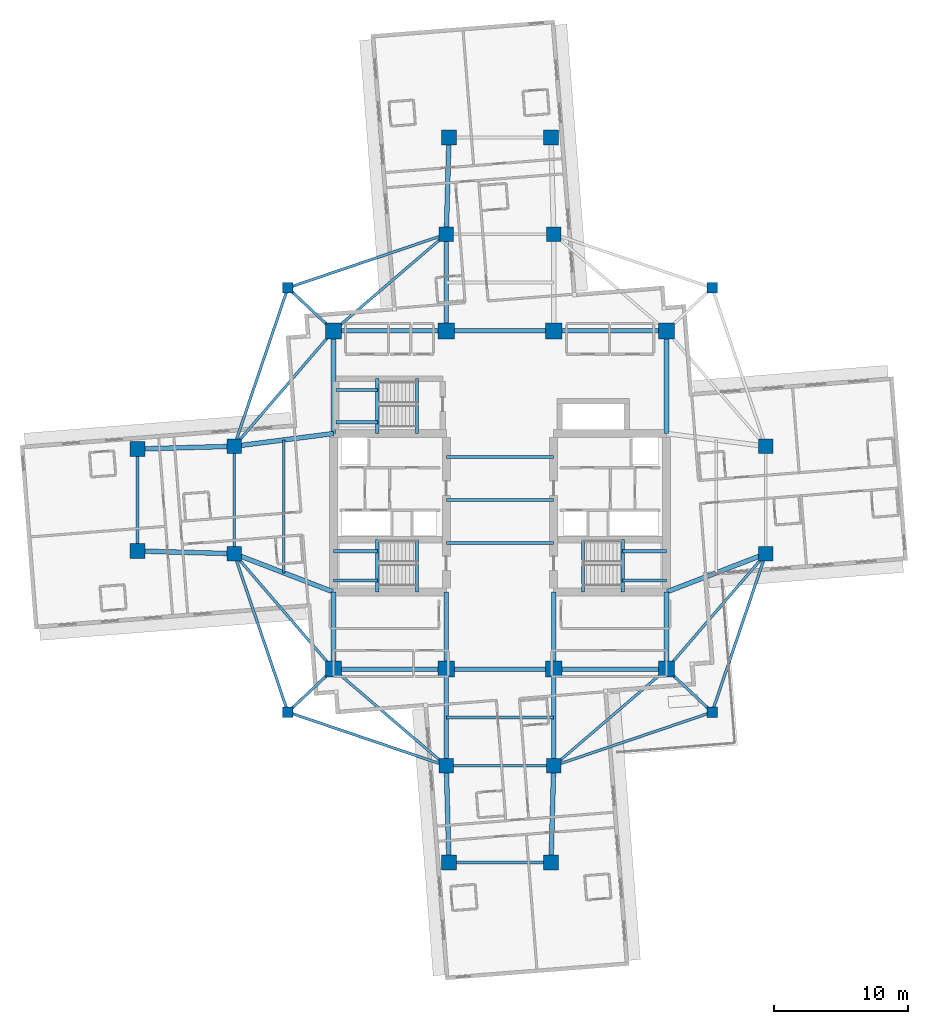
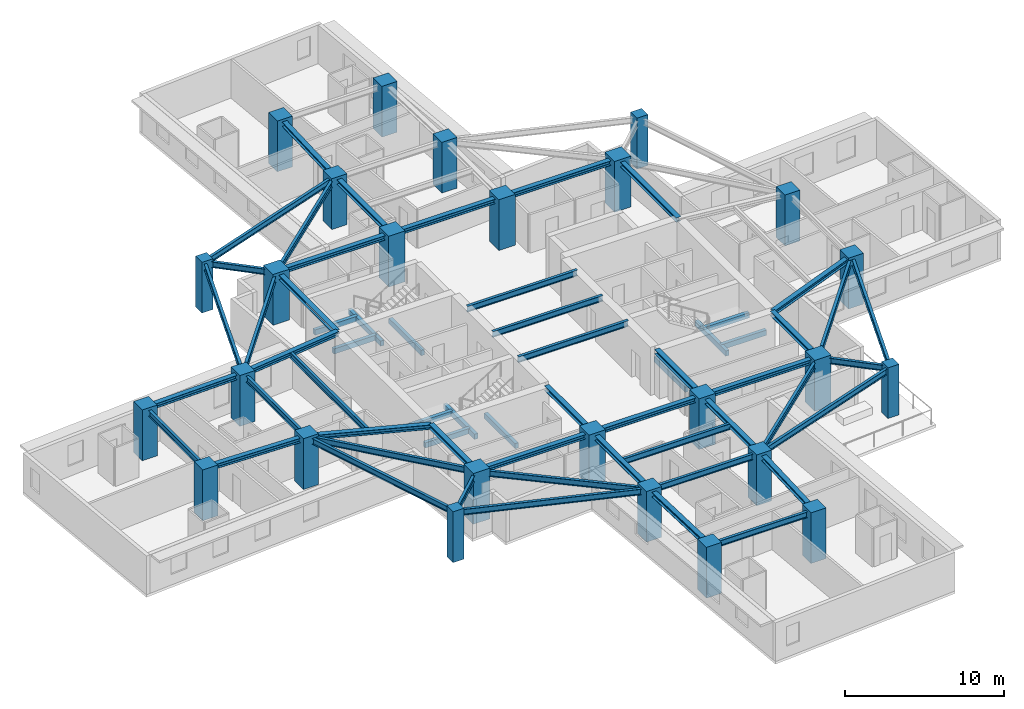
# One storey, part 1 of 14: 59 beams, 26 columns.
"""IFC4 building model written with IfcOpenShell, lengths in metres."""

from ifc_helpers import new_model, si_unit, direction, frame, origin, origin_2d, place, context, subcontext, project, spatial, rectangle, i_section, extrude, material, material_profile, profile_set, type_object, element, save


model = new_model("IFC4")

# Units and contexts
model_context = context("Model", 3, precision=1e-05, world=origin(), true_north=direction((0.0, 1.0)))
body_context = subcontext(model_context, "Body", "Model", "MODEL_VIEW")
ifc_project = project(units=[si_unit("LENGTHUNIT", "METRE"), si_unit("AREAUNIT", "SQUARE_METRE"), si_unit("VOLUMEUNIT", "CUBIC_METRE"), si_unit("PLANEANGLEUNIT", "RADIAN"), si_unit("MASSUNIT", "GRAM", prefix="KILO")], contexts=[model_context])

# Site, building, storey
site_placement = place(None, origin())
site = spatial("IfcSite", under=ifc_project, at=site_placement, CompositionType="ELEMENT")
building_placement = place(site_placement, origin())
building = spatial("IfcBuilding", under=site, at=building_placement, Name="Qingluan Cross Belvedere", CompositionType="ELEMENT")
storey_placement = place(building_placement, frame((0.0, 0.0, 124.199951171875)))
storey = spatial("IfcBuildingStorey", under=building, at=storey_placement, Name="L31", CompositionType="ELEMENT", Elevation=124.199951171875)

# Columns
ifc_material_1 = material(Name="Concrete C60", Category="concrete")
ifc_material_profile_1 = material_profile(ifc_material_1, rectangle(XDim=1.10009765625, YDim=1.10009765625, at=origin_2d()), Name="RC1100x1100")
ifc_profile_set_1 = profile_set([ifc_material_profile_1], Name="Concrete C60")
column_type_1 = type_object("IfcColumnType", Name="Column_RC1100x1100", PredefinedType="COLUMN", material=ifc_profile_set_1)
for number, where, z_axis, x_axis, name in (
    (1, (19.800048828125, -4.0, 0.0), (0.0, 0.0, 1.0), (1.0, 0.0, 0.0), "Arm column L31-EIA"),
    (2, (19.800048828125, 4.0, 0.0), (0.0, 0.0, 1.0), (1.0, 0.0, 0.0), "Arm column L31-EIB"),
    (3, (-19.800048828125, -4.0, 0.0), (0.0, 0.0, 1.0), (1.0, 0.0, 0.0), "Arm column L31-WIA"),
    (4, (-19.800048828125, 4.0, 0.0), (0.0, 0.0, 1.0), (1.0, 0.0, 0.0), "Arm column L31-WIB"),
    (5, (-4.0, -19.800048828125, 0.0), (0.0, 0.0, 1.0), (1.0, 0.0, 0.0), "Arm column L31-SIA"),
    (6, (4.0, -19.800048828125, 0.0), (0.0, 0.0, 1.0), (1.0, 0.0, 0.0), "Arm column L31-SIB"),
    (7, (-4.0, 19.800048828125, 0.0), (0.0, 0.0, 1.0), (1.0, 0.0, 0.0), "Arm column L31-NIA"),
    (8, (4.0, 19.800048828125, 0.0), (0.0, 0.0, 1.0), (1.0, 0.0, 0.0), "Arm column L31-NIB"),
    (9, (-27.0, -3.800048828125, 0.0), (0.0, 0.0, 1.0), (1.0, 0.0, 0.0), "Arm column L31-WOA"),
    (10, (-27.0, 3.800048828125, 0.0), (0.0, 0.0, 1.0), (1.0, 0.0, 0.0), "Arm column L31-WOB"),
    (11, (-3.800048828125, -27.0, 0.0), (0.0, 0.0, 1.0), (1.0, 0.0, 0.0), "Arm column L31-SOA"),
    (12, (3.800048828125, -27.0, 0.0), (0.0, 0.0, 1.0), (1.0, 0.0, 0.0), "Arm column L31-SOB"),
    (13, (-3.800048828125, 27.0, 0.0), (0.0, 0.0, 1.0), (1.0, 0.0, 0.0), "Arm column L31-NOA"),
    (14, (3.800048828125, 27.0, 0.0), (0.0, 0.0, 1.0), (1.0, 0.0, 0.0), "Arm column L31-NOB"),
):
    element("IfcColumn", number, at=place(storey_placement, frame(where, z_axis=z_axis, x_axis=x_axis)), inside=storey, type_object=column_type_1, Name=name, PredefinedType="COLUMN", context=body_context, shape_type="SweptSolid", body=[
        extrude(rectangle(XDim=1.10009765625, YDim=1.10009765625, at=origin_2d()), origin(), (0.0, 0.0, 1.0), 3.900146484375),
    ])
ifc_material_2 = material(Name="Concrete C60", Category="concrete")
ifc_material_profile_2 = material_profile(ifc_material_2, rectangle(XDim=1.199951171875, YDim=1.199951171875, at=origin_2d()), Name="RC1200x1200")
ifc_profile_set_2 = profile_set([ifc_material_profile_2], Name="Concrete C60")
column_type_2 = type_object("IfcColumnType", Name="Column_RC1200x1200", PredefinedType="COLUMN", material=ifc_profile_set_2)
for number, where, z_axis, x_axis, name in (
    (15, (-12.39990234375, -12.60009765625, 0.0), (0.0, 0.0, 1.0), (1.0, 0.0, 0.0), "Hub column L31-HC1"),
    (16, (12.39990234375, -12.60009765625, 0.0), (0.0, 0.0, 1.0), (1.0, 0.0, 0.0), "Hub column L31-HC2"),
    (17, (12.39990234375, 12.60009765625, 0.0), (0.0, 0.0, 1.0), (1.0, 0.0, 0.0), "Hub column L31-HC3"),
    (18, (-12.39990234375, 12.60009765625, 0.0), (0.0, 0.0, 1.0), (1.0, 0.0, 0.0), "Hub column L31-HC4"),
    (19, (-4.0, -12.60009765625, 0.0), (0.0, 0.0, 1.0), (1.0, 0.0, 0.0), "Hub column L31-HC5"),
    (20, (4.0, -12.60009765625, 0.0), (0.0, 0.0, 1.0), (1.0, 0.0, 0.0), "Hub column L31-HC6"),
    (21, (4.0, 12.60009765625, 0.0), (0.0, 0.0, 1.0), (1.0, 0.0, 0.0), "Hub column L31-HC7"),
    (22, (-4.0, 12.60009765625, 0.0), (0.0, 0.0, 1.0), (1.0, 0.0, 0.0), "Hub column L31-HC8"),
):
    element("IfcColumn", number, at=place(storey_placement, frame(where, z_axis=z_axis, x_axis=x_axis)), inside=storey, type_object=column_type_2, Name=name, PredefinedType="COLUMN", context=body_context, shape_type="SweptSolid", body=[
        extrude(rectangle(XDim=1.199951171875, YDim=1.199951171875, at=origin_2d()), origin(), (0.0, 0.0, 1.0), 3.900146484375),
    ])
ifc_material_3 = material(Name="Concrete C50", Category="concrete")
ifc_material_profile_3 = material_profile(ifc_material_3, rectangle(XDim=0.800048828125, YDim=0.800048828125, at=origin_2d()), Name="RC800x800")
ifc_profile_set_3 = profile_set([ifc_material_profile_3], Name="Concrete C50")
column_type_3 = type_object("IfcColumnType", Name="Column_RC800x800", PredefinedType="COLUMN", material=ifc_profile_set_3)
for number, where, z_axis, x_axis, name in (
    (23, (15.800048828125, 15.800048828125, 0.0), (0.0, 0.0, 1.0), (1.0, 0.0, 0.0), "Corner column L31-RNE"),
    (24, (-15.800048828125, 15.800048828125, 0.0), (0.0, 0.0, 1.0), (1.0, 0.0, 0.0), "Corner column L31-RNW"),
    (25, (-15.800048828125, -15.800048828125, 0.0), (0.0, 0.0, 1.0), (1.0, 0.0, 0.0), "Corner column L31-RSW"),
    (26, (15.800048828125, -15.800048828125, 0.0), (0.0, 0.0, 1.0), (1.0, 0.0, 0.0), "Corner column L31-RSE"),
):
    element("IfcColumn", number, at=place(storey_placement, frame(where, z_axis=z_axis, x_axis=x_axis)), inside=storey, type_object=column_type_3, Name=name, PredefinedType="COLUMN", context=body_context, shape_type="SweptSolid", body=[
        extrude(rectangle(XDim=0.800048828125, YDim=0.800048828125, at=origin_2d()), origin(), (0.0, 0.0, 1.0), 3.900146484375),
    ])

# Beams
ifc_material_4 = material(Name="Concrete C45", Category="concrete")
ifc_material_profile_4 = material_profile(ifc_material_4, rectangle(XDim=0.25, YDim=0.39990234375, at=origin_2d()), Name="RC250x400")
ifc_profile_set_4 = profile_set([ifc_material_profile_4], Name="Concrete C45")
beam_type_1 = type_object("IfcBeamType", Name="RC_Lintel_RC250x400", PredefinedType="LINTEL", material=ifc_profile_set_4)
for number, where, z_axis, x_axis, name in (
    (27, (-6.179931640625, -6.85009765625, -0.199951171875), (0.0, 1.0, 0.0), (-1.0, 0.0, 0.0), "Stair ST1 landing beam L31"),
    (28, (6.179931640625, -6.85009765625, -0.199951171875), (0.0, 1.0, 0.0), (-1.0, 0.0, 0.0), "Stair ST2 landing beam L31"),
):
    element("IfcBeam", number, at=place(storey_placement, frame(where, z_axis=z_axis, x_axis=x_axis)), inside=storey, type_object=beam_type_1, Name=name, PredefinedType="LINTEL", context=body_context, shape_type="SweptSolid", body=[
        extrude(rectangle(XDim=0.25, YDim=0.39990234375, at=origin_2d()), origin(), (0.0, 0.0, 1.0), 3.89013671875),
    ])
beam_1_placement = place(storey_placement, frame((-6.179931640625, 4.949951171875, -0.199951171875), z_axis=(0.0, 1.0, 0.0), x_axis=(-1.0, 0.0, 0.0)))
element("IfcBeam", 29, at=beam_1_placement, inside=storey, type_object=beam_type_1, Name="Stair ST3 landing beam L31", PredefinedType="LINTEL", context=body_context, shape_type="SweptSolid", body=[
    extrude(rectangle(XDim=0.25, YDim=0.39990234375, at=origin_2d()), origin(), (0.0, 0.0, 1.0), 4.090087890625),
])
beam_2_placement = place(storey_placement, frame((-9.1298828125, -6.85009765625, 1.550048828125), z_axis=(0.0, 1.0, 0.0), x_axis=(-1.0, 0.0, 0.0)))
element("IfcBeam", 30, at=beam_2_placement, inside=storey, type_object=beam_type_1, Name="Stair ST1 beam A L31", PredefinedType="LINTEL", context=body_context, shape_type="SweptSolid", body=[
    extrude(rectangle(XDim=0.25, YDim=0.39990234375, at=origin_2d()), origin(), (0.0, 0.0, 1.0), 3.89013671875),
])
for number, where, z_axis, x_axis, name in (
    (31, (-12.39990234375, -6.0, 1.550048828125), (1.0, 0.0, 0.0), (0.0, 1.0, 0.0), "Stair ST1 beam B L31"),
    (32, (-12.39990234375, -3.81005859375, 1.550048828125), (1.0, 0.0, 0.0), (0.0, 1.0, 0.0), "Stair ST1 beam C L31"),
):
    element("IfcBeam", number, at=place(storey_placement, frame(where, z_axis=z_axis, x_axis=x_axis)), inside=storey, type_object=beam_type_1, Name=name, PredefinedType="LINTEL", context=body_context, shape_type="SweptSolid", body=[
        extrude(rectangle(XDim=0.25, YDim=0.39990234375, at=origin_2d()), origin(), (0.0, 0.0, 1.0), 3.27001953125),
    ])
beam_3_placement = place(storey_placement, frame((9.1298828125, -6.85009765625, 1.550048828125), z_axis=(0.0, 1.0, 0.0), x_axis=(-1.0, 0.0, 0.0)))
element("IfcBeam", 33, at=beam_3_placement, inside=storey, type_object=beam_type_1, Name="Stair ST2 beam A L31", PredefinedType="LINTEL", context=body_context, shape_type="SweptSolid", body=[
    extrude(rectangle(XDim=0.25, YDim=0.39990234375, at=origin_2d()), origin(), (0.0, 0.0, 1.0), 3.89013671875),
])
for number, where, z_axis, x_axis, name in (
    (34, (12.39990234375, -6.0, 1.550048828125), (-1.0, 0.0, 0.0), (0.0, -1.0, 0.0), "Stair ST2 beam B L31"),
    (35, (12.39990234375, -3.81005859375, 1.550048828125), (-1.0, 0.0, 0.0), (0.0, -1.0, 0.0), "Stair ST2 beam C L31"),
):
    element("IfcBeam", number, at=place(storey_placement, frame(where, z_axis=z_axis, x_axis=x_axis)), inside=storey, type_object=beam_type_1, Name=name, PredefinedType="LINTEL", context=body_context, shape_type="SweptSolid", body=[
        extrude(rectangle(XDim=0.25, YDim=0.39990234375, at=origin_2d()), origin(), (0.0, 0.0, 1.0), 3.27001953125),
    ])
beam_4_placement = place(storey_placement, frame((-9.1298828125, 4.949951171875, 1.550048828125), z_axis=(0.0, 1.0, 0.0), x_axis=(-1.0, 0.0, 0.0)))
element("IfcBeam", 36, at=beam_4_placement, inside=storey, type_object=beam_type_1, Name="Stair ST3 beam A L31", PredefinedType="LINTEL", context=body_context, shape_type="SweptSolid", body=[
    extrude(rectangle(XDim=0.25, YDim=0.39990234375, at=origin_2d()), origin(), (0.0, 0.0, 1.0), 4.090087890625),
])
for number, where, z_axis, x_axis, name in (
    (37, (-12.219970703125, 5.800048828125, 1.550048828125), (1.0, 0.0, 0.0), (0.0, 1.0, 0.0), "Stair ST3 beam B L31"),
    (38, (-12.219970703125, 8.18994140625, 1.550048828125), (1.0, 0.0, 0.0), (0.0, 1.0, 0.0), "Stair ST3 beam C L31"),
):
    element("IfcBeam", number, at=place(storey_placement, frame(where, z_axis=z_axis, x_axis=x_axis)), inside=storey, type_object=beam_type_1, Name=name, PredefinedType="LINTEL", context=body_context, shape_type="SweptSolid", body=[
        extrude(rectangle(XDim=0.25, YDim=0.39990234375, at=origin_2d()), origin(), (0.0, 0.0, 1.0), 3.090087890625),
    ])
ifc_material_5 = material(Name="Steel Q420GJB", Category="steel")
ifc_material_profile_5 = material_profile(ifc_material_5, i_section(OverallWidth=0.199951171875, OverallDepth=0.449951171875, WebThickness=0.009033203125, FlangeThickness=0.013916015625, FilletRadius=0.01611328125, at=origin_2d()), Name="HN450x200x9x14")
ifc_profile_set_5 = profile_set([ifc_material_profile_5], Name="Steel Q420GJB")
beam_type_2 = type_object("IfcBeamType", Name="Steel_Beam_HN450x200x9x14", PredefinedType="JOIST", material=ifc_profile_set_5)
beam_5_placement = place(storey_placement, frame((-12.39990234375, 12.60009765625, 3.47509765625), z_axis=(-0.728219948308, 0.685343495546, 0.0), x_axis=(-0.685343495546, -0.728219948308, 0.0)))
element("IfcBeam", 39, at=beam_5_placement, inside=storey, type_object=beam_type_2, Name="Corner beam 1 L31-RNW", PredefinedType="JOIST", context=body_context, shape_type="SweptSolid", body=[
    extrude(i_section(OverallWidth=0.199951171875, OverallDepth=0.449951171875, WebThickness=0.009033203125, FlangeThickness=0.013916015625, FilletRadius=0.01611328125, at=origin_2d()), origin(), (0.0, 0.0, 1.0), 4.669189453125),
])
for number, where, z_axis, x_axis, name in (
    (40, (-15.800048828125, 15.800048828125, 3.47509765625), (0.947066283324, 0.321038089628, 0.0), (-0.321038089628, 0.947066283324, 0.0), "Corner beam 2 L31-RNW"),
    (41, (-15.800048828125, 15.800048828125, 3.47509765625), (-0.321038089628, -0.947066283324, 0.0), (0.947066283324, -0.321038089628, 0.0), "Corner beam 3 L31-RNW"),
):
    element("IfcBeam", number, at=place(storey_placement, frame(where, z_axis=z_axis, x_axis=x_axis)), inside=storey, type_object=beam_type_2, Name=name, PredefinedType="JOIST", context=body_context, shape_type="SweptSolid", body=[
        extrude(i_section(OverallWidth=0.199951171875, OverallDepth=0.449951171875, WebThickness=0.009033203125, FlangeThickness=0.013916015625, FilletRadius=0.01611328125, at=origin_2d()), origin(), (0.0, 0.0, 1.0), 12.45947265625),
    ])
beam_6_placement = place(storey_placement, frame((-12.39990234375, 12.60009765625, 3.47509765625), z_axis=(-0.652245077546, -0.75800815221, 0.0), x_axis=(0.75800815221, -0.652245077546, 0.0)))
element("IfcBeam", 42, at=beam_6_placement, inside=storey, type_object=beam_type_2, Name="Corner beam 4 L31-RNW", PredefinedType="JOIST", context=body_context, shape_type="SweptSolid", body=[
    extrude(i_section(OverallWidth=0.199951171875, OverallDepth=0.449951171875, WebThickness=0.009033203125, FlangeThickness=0.013916015625, FilletRadius=0.01611328125, at=origin_2d()), origin(), (0.0, 0.0, 1.0), 11.345703125),
])
beam_7_placement = place(storey_placement, frame((-12.39990234375, 12.60009765625, 3.47509765625), z_axis=(0.759255044656, 0.650793190779, 0.0), x_axis=(-0.650793190779, 0.759255044656, 0.0)))
element("IfcBeam", 43, at=beam_7_placement, inside=storey, type_object=beam_type_2, Name="Corner beam 5 L31-RNW", PredefinedType="JOIST", context=body_context, shape_type="SweptSolid", body=[
    extrude(i_section(OverallWidth=0.199951171875, OverallDepth=0.449951171875, WebThickness=0.009033203125, FlangeThickness=0.013916015625, FilletRadius=0.01611328125, at=origin_2d()), origin(), (0.0, 0.0, 1.0), 11.063232421875),
])
beam_8_placement = place(storey_placement, frame((-12.39990234375, -12.60009765625, 3.47509765625), z_axis=(-0.728219948308, -0.685343495546, 0.0), x_axis=(0.685343495546, -0.728219948308, 0.0)))
element("IfcBeam", 44, at=beam_8_placement, inside=storey, type_object=beam_type_2, Name="Corner beam 1 L31-RSW", PredefinedType="JOIST", context=body_context, shape_type="SweptSolid", body=[
    extrude(i_section(OverallWidth=0.199951171875, OverallDepth=0.449951171875, WebThickness=0.009033203125, FlangeThickness=0.013916015625, FilletRadius=0.01611328125, at=origin_2d()), origin(), (0.0, 0.0, 1.0), 4.669189453125),
])
for number, where, z_axis, x_axis, name in (
    (45, (-15.800048828125, -15.800048828125, 3.47509765625), (0.947066283324, -0.321038089628, 0.0), (0.321038089628, 0.947066283324, 0.0), "Corner beam 2 L31-RSW"),
    (46, (-15.800048828125, -15.800048828125, 3.47509765625), (-0.321038089628, 0.947066283324, 0.0), (-0.947066283324, -0.321038089628, 0.0), "Corner beam 3 L31-RSW"),
):
    element("IfcBeam", number, at=place(storey_placement, frame(where, z_axis=z_axis, x_axis=x_axis)), inside=storey, type_object=beam_type_2, Name=name, PredefinedType="JOIST", context=body_context, shape_type="SweptSolid", body=[
        extrude(i_section(OverallWidth=0.199951171875, OverallDepth=0.449951171875, WebThickness=0.009033203125, FlangeThickness=0.013916015625, FilletRadius=0.01611328125, at=origin_2d()), origin(), (0.0, 0.0, 1.0), 12.45947265625),
    ])
beam_9_placement = place(storey_placement, frame((-12.39990234375, -12.60009765625, 3.47509765625), z_axis=(-0.652245077546, 0.75800815221, 0.0), x_axis=(-0.75800815221, -0.652245077546, 0.0)))
element("IfcBeam", 47, at=beam_9_placement, inside=storey, type_object=beam_type_2, Name="Corner beam 4 L31-RSW", PredefinedType="JOIST", context=body_context, shape_type="SweptSolid", body=[
    extrude(i_section(OverallWidth=0.199951171875, OverallDepth=0.449951171875, WebThickness=0.009033203125, FlangeThickness=0.013916015625, FilletRadius=0.01611328125, at=origin_2d()), origin(), (0.0, 0.0, 1.0), 11.345703125),
])
beam_10_placement = place(storey_placement, frame((-12.39990234375, -12.60009765625, 3.47509765625), z_axis=(0.759255044656, -0.650793190779, 0.0), x_axis=(0.650793190779, 0.759255044656, 0.0)))
element("IfcBeam", 48, at=beam_10_placement, inside=storey, type_object=beam_type_2, Name="Corner beam 5 L31-RSW", PredefinedType="JOIST", context=body_context, shape_type="SweptSolid", body=[
    extrude(i_section(OverallWidth=0.199951171875, OverallDepth=0.449951171875, WebThickness=0.009033203125, FlangeThickness=0.013916015625, FilletRadius=0.01611328125, at=origin_2d()), origin(), (0.0, 0.0, 1.0), 11.063232421875),
])
beam_11_placement = place(storey_placement, frame((12.39990234375, -12.60009765625, 3.47509765625), z_axis=(0.728219948308, -0.685343495546, 0.0), x_axis=(0.685343495546, 0.728219948308, 0.0)))
element("IfcBeam", 49, at=beam_11_placement, inside=storey, type_object=beam_type_2, Name="Corner beam 1 L31-RSE", PredefinedType="JOIST", context=body_context, shape_type="SweptSolid", body=[
    extrude(i_section(OverallWidth=0.199951171875, OverallDepth=0.449951171875, WebThickness=0.009033203125, FlangeThickness=0.013916015625, FilletRadius=0.01611328125, at=origin_2d()), origin(), (0.0, 0.0, 1.0), 4.669189453125),
])
for number, where, z_axis, x_axis, name in (
    (50, (15.800048828125, -15.800048828125, 3.47509765625), (-0.947066283324, -0.321038089628, 0.0), (0.321038089628, -0.947066283324, 0.0), "Corner beam 2 L31-RSE"),
    (51, (15.800048828125, -15.800048828125, 3.47509765625), (0.321038089628, 0.947066283324, 0.0), (-0.947066283324, 0.321038089628, 0.0), "Corner beam 3 L31-RSE"),
):
    element("IfcBeam", number, at=place(storey_placement, frame(where, z_axis=z_axis, x_axis=x_axis)), inside=storey, type_object=beam_type_2, Name=name, PredefinedType="JOIST", context=body_context, shape_type="SweptSolid", body=[
        extrude(i_section(OverallWidth=0.199951171875, OverallDepth=0.449951171875, WebThickness=0.009033203125, FlangeThickness=0.013916015625, FilletRadius=0.01611328125, at=origin_2d()), origin(), (0.0, 0.0, 1.0), 12.45947265625),
    ])
beam_12_placement = place(storey_placement, frame((12.39990234375, -12.60009765625, 3.47509765625), z_axis=(0.652245077546, 0.75800815221, 0.0), x_axis=(-0.75800815221, 0.652245077546, 0.0)))
element("IfcBeam", 52, at=beam_12_placement, inside=storey, type_object=beam_type_2, Name="Corner beam 4 L31-RSE", PredefinedType="JOIST", context=body_context, shape_type="SweptSolid", body=[
    extrude(i_section(OverallWidth=0.199951171875, OverallDepth=0.449951171875, WebThickness=0.009033203125, FlangeThickness=0.013916015625, FilletRadius=0.01611328125, at=origin_2d()), origin(), (0.0, 0.0, 1.0), 11.345703125),
])
beam_13_placement = place(storey_placement, frame((12.39990234375, -12.60009765625, 3.47509765625), z_axis=(-0.759255044656, -0.650793190779, 0.0), x_axis=(0.650793190779, -0.759255044656, 0.0)))
element("IfcBeam", 53, at=beam_13_placement, inside=storey, type_object=beam_type_2, Name="Corner beam 5 L31-RSE", PredefinedType="JOIST", context=body_context, shape_type="SweptSolid", body=[
    extrude(i_section(OverallWidth=0.199951171875, OverallDepth=0.449951171875, WebThickness=0.009033203125, FlangeThickness=0.013916015625, FilletRadius=0.01611328125, at=origin_2d()), origin(), (0.0, 0.0, 1.0), 11.063232421875),
])
for number, where, z_axis, x_axis, name in (
    (54, (-4.0, -3.199951171875, 3.47509765625), (1.0, 0.0, 0.0), (0.0, 1.0, 0.0), "Hall beam L31-CH1"),
    (55, (-4.0, 0.0, 3.47509765625), (1.0, 0.0, 0.0), (0.0, 1.0, 0.0), "Hall beam L31-CH2"),
    (56, (-4.0, 3.199951171875, 3.47509765625), (1.0, 0.0, 0.0), (0.0, 1.0, 0.0), "Hall beam L31-CH3"),
    (57, (-19.800048828125, -4.0, 3.47509765625), (0.0, 1.0, 0.0), (-1.0, 0.0, 0.0), "Arm W tie L31"),
):
    element("IfcBeam", number, at=place(storey_placement, frame(where, z_axis=z_axis, x_axis=x_axis)), inside=storey, type_object=beam_type_2, Name=name, PredefinedType="JOIST", context=body_context, shape_type="SweptSolid", body=[
        extrude(i_section(OverallWidth=0.199951171875, OverallDepth=0.449951171875, WebThickness=0.009033203125, FlangeThickness=0.013916015625, FilletRadius=0.01611328125, at=origin_2d()), origin(), (0.0, 0.0, 1.0), 8.0),
    ])
beam_14_placement = place(storey_placement, frame((-16.10009765625, -5.425048828125, 3.47509765625), z_axis=(0.0, 1.0, 0.0), x_axis=(-1.0, 0.0, 0.0)))
element("IfcBeam", 58, at=beam_14_placement, inside=storey, type_object=beam_type_2, Name="Arm W beam L31", PredefinedType="JOIST", context=body_context, shape_type="SweptSolid", body=[
    extrude(i_section(OverallWidth=0.199951171875, OverallDepth=0.449951171875, WebThickness=0.009033203125, FlangeThickness=0.013916015625, FilletRadius=0.01611328125, at=origin_2d()), origin(), (0.0, 0.0, 1.0), 9.900146484375),
])
beam_15_placement = place(storey_placement, frame((-27.0, -3.800048828125, 3.47509765625), z_axis=(0.0, 1.0, 0.0), x_axis=(-1.0, 0.0, 0.0)))
element("IfcBeam", 59, at=beam_15_placement, inside=storey, type_object=beam_type_2, Name="Arm W tip transverse beam L31", PredefinedType="JOIST", context=body_context, shape_type="SweptSolid", body=[
    extrude(i_section(OverallWidth=0.199951171875, OverallDepth=0.449951171875, WebThickness=0.009033203125, FlangeThickness=0.013916015625, FilletRadius=0.01611328125, at=origin_2d()), origin(), (0.0, 0.0, 1.0), 7.60009765625),
])
for number, where, z_axis, x_axis, name in (
    (60, (-4.0, -19.800048828125, 3.47509765625), (1.0, 0.0, 0.0), (0.0, 1.0, 0.0), "Arm S tie L31"),
    (61, (-4.0, -16.199951171875, 3.47509765625), (1.0, 0.0, 0.0), (0.0, 1.0, 0.0), "Arm S beam L31"),
):
    element("IfcBeam", number, at=place(storey_placement, frame(where, z_axis=z_axis, x_axis=x_axis)), inside=storey, type_object=beam_type_2, Name=name, PredefinedType="JOIST", context=body_context, shape_type="SweptSolid", body=[
        extrude(i_section(OverallWidth=0.199951171875, OverallDepth=0.449951171875, WebThickness=0.009033203125, FlangeThickness=0.013916015625, FilletRadius=0.01611328125, at=origin_2d()), origin(), (0.0, 0.0, 1.0), 8.0),
    ])
beam_16_placement = place(storey_placement, frame((-3.800048828125, -27.0, 3.47509765625), z_axis=(1.0, 0.0, 0.0), x_axis=(0.0, 1.0, 0.0)))
element("IfcBeam", 62, at=beam_16_placement, inside=storey, type_object=beam_type_2, Name="Arm S tip transverse beam L31", PredefinedType="JOIST", context=body_context, shape_type="SweptSolid", body=[
    extrude(i_section(OverallWidth=0.199951171875, OverallDepth=0.449951171875, WebThickness=0.009033203125, FlangeThickness=0.013916015625, FilletRadius=0.01611328125, at=origin_2d()), origin(), (0.0, 0.0, 1.0), 7.60009765625),
])
ifc_material_6 = material(Name="Steel Q420GJB", Category="steel")
ifc_material_profile_6 = material_profile(ifc_material_6, i_section(OverallWidth=0.35009765625, OverallDepth=0.35009765625, WebThickness=0.011962890625, FlangeThickness=0.01904296875, FilletRadius=0.02001953125, at=origin_2d()), Name="HW350x350x12x19")
ifc_profile_set_6 = profile_set([ifc_material_profile_6], Name="Steel Q420GJB")
beam_type_3 = type_object("IfcBeamType", Name="Steel_Girder_HW350x350x12x19", PredefinedType="USERDEFINED", material=ifc_profile_set_6)
beam_17_placement = place(storey_placement, frame((-12.39990234375, -12.60009765625, 3.525146484375), z_axis=(1.0, 0.0, 0.0), x_axis=(0.0, 1.0, 0.0)))
element("IfcBeam", 63, at=beam_17_placement, inside=storey, type_object=beam_type_3, Name="Hub girder L31-HG-S1", ObjectType="GIRDER", PredefinedType="USERDEFINED", context=body_context, shape_type="SweptSolid", body=[
    extrude(i_section(OverallWidth=0.35009765625, OverallDepth=0.35009765625, WebThickness=0.011962890625, FlangeThickness=0.01904296875, FilletRadius=0.02001953125, at=origin_2d()), origin(), (0.0, 0.0, 1.0), 8.39990234375),
])
beam_18_placement = place(storey_placement, frame((-4.0, -12.60009765625, 3.525146484375), z_axis=(1.0, 0.0, 0.0), x_axis=(0.0, 1.0, 0.0)))
element("IfcBeam", 64, at=beam_18_placement, inside=storey, type_object=beam_type_3, Name="Hub girder L31-HG-S2", ObjectType="GIRDER", PredefinedType="USERDEFINED", context=body_context, shape_type="SweptSolid", body=[
    extrude(i_section(OverallWidth=0.35009765625, OverallDepth=0.35009765625, WebThickness=0.011962890625, FlangeThickness=0.01904296875, FilletRadius=0.02001953125, at=origin_2d()), origin(), (0.0, 0.0, 1.0), 8.0),
])
for number, where, z_axis, x_axis, name in (
    (65, (4.0, -12.60009765625, 3.525146484375), (1.0, 0.0, 0.0), (0.0, 1.0, 0.0), "Hub girder L31-HG-S3"),
    (66, (-12.39990234375, 12.60009765625, 3.525146484375), (1.0, 0.0, 0.0), (0.0, 1.0, 0.0), "Hub girder L31-HG-N1"),
):
    element("IfcBeam", number, at=place(storey_placement, frame(where, z_axis=z_axis, x_axis=x_axis)), inside=storey, type_object=beam_type_3, Name=name, ObjectType="GIRDER", PredefinedType="USERDEFINED", context=body_context, shape_type="SweptSolid", body=[
        extrude(i_section(OverallWidth=0.35009765625, OverallDepth=0.35009765625, WebThickness=0.011962890625, FlangeThickness=0.01904296875, FilletRadius=0.02001953125, at=origin_2d()), origin(), (0.0, 0.0, 1.0), 8.39990234375),
    ])
beam_19_placement = place(storey_placement, frame((-4.0, 12.60009765625, 3.525146484375), z_axis=(1.0, 0.0, 0.0), x_axis=(0.0, 1.0, 0.0)))
element("IfcBeam", 67, at=beam_19_placement, inside=storey, type_object=beam_type_3, Name="Hub girder L31-HG-N2", ObjectType="GIRDER", PredefinedType="USERDEFINED", context=body_context, shape_type="SweptSolid", body=[
    extrude(i_section(OverallWidth=0.35009765625, OverallDepth=0.35009765625, WebThickness=0.011962890625, FlangeThickness=0.01904296875, FilletRadius=0.02001953125, at=origin_2d()), origin(), (0.0, 0.0, 1.0), 8.0),
])
beam_20_placement = place(storey_placement, frame((4.0, 12.60009765625, 3.525146484375), z_axis=(1.0, 0.0, 0.0), x_axis=(0.0, 1.0, 0.0)))
element("IfcBeam", 68, at=beam_20_placement, inside=storey, type_object=beam_type_3, Name="Hub girder L31-HG-N3", ObjectType="GIRDER", PredefinedType="USERDEFINED", context=body_context, shape_type="SweptSolid", body=[
    extrude(i_section(OverallWidth=0.35009765625, OverallDepth=0.35009765625, WebThickness=0.011962890625, FlangeThickness=0.01904296875, FilletRadius=0.02001953125, at=origin_2d()), origin(), (0.0, 0.0, 1.0), 8.39990234375),
])
beam_21_placement = place(storey_placement, frame((-12.39990234375, -12.60009765625, 3.525146484375), z_axis=(0.0, 1.0, 0.0), x_axis=(-1.0, 0.0, 0.0)))
element("IfcBeam", 69, at=beam_21_placement, inside=storey, type_object=beam_type_3, Name="Hub girder L31-HG-W1", ObjectType="GIRDER", PredefinedType="USERDEFINED", context=body_context, shape_type="SweptSolid", body=[
    extrude(i_section(OverallWidth=0.35009765625, OverallDepth=0.35009765625, WebThickness=0.011962890625, FlangeThickness=0.01904296875, FilletRadius=0.02001953125, at=origin_2d()), origin(), (0.0, 0.0, 1.0), 5.75),
])
beam_22_placement = place(storey_placement, frame((-12.39990234375, 4.949951171875, 3.525146484375), z_axis=(0.0, 1.0, 0.0), x_axis=(-1.0, 0.0, 0.0)))
element("IfcBeam", 70, at=beam_22_placement, inside=storey, type_object=beam_type_3, Name="Hub girder L31-HG-W2", ObjectType="GIRDER", PredefinedType="USERDEFINED", context=body_context, shape_type="SweptSolid", body=[
    extrude(i_section(OverallWidth=0.35009765625, OverallDepth=0.35009765625, WebThickness=0.011962890625, FlangeThickness=0.01904296875, FilletRadius=0.02001953125, at=origin_2d()), origin(), (0.0, 0.0, 1.0), 7.650146484375),
])
beam_23_placement = place(storey_placement, frame((12.39990234375, -12.60009765625, 3.525146484375), z_axis=(0.0, 1.0, 0.0), x_axis=(-1.0, 0.0, 0.0)))
element("IfcBeam", 71, at=beam_23_placement, inside=storey, type_object=beam_type_3, Name="Hub girder L31-HG-E1", ObjectType="GIRDER", PredefinedType="USERDEFINED", context=body_context, shape_type="SweptSolid", body=[
    extrude(i_section(OverallWidth=0.35009765625, OverallDepth=0.35009765625, WebThickness=0.011962890625, FlangeThickness=0.01904296875, FilletRadius=0.02001953125, at=origin_2d()), origin(), (0.0, 0.0, 1.0), 5.75),
])
beam_24_placement = place(storey_placement, frame((12.39990234375, 4.949951171875, 3.525146484375), z_axis=(0.0, 1.0, 0.0), x_axis=(-1.0, 0.0, 0.0)))
element("IfcBeam", 72, at=beam_24_placement, inside=storey, type_object=beam_type_3, Name="Hub girder L31-HG-E2", ObjectType="GIRDER", PredefinedType="USERDEFINED", context=body_context, shape_type="SweptSolid", body=[
    extrude(i_section(OverallWidth=0.35009765625, OverallDepth=0.35009765625, WebThickness=0.011962890625, FlangeThickness=0.01904296875, FilletRadius=0.02001953125, at=origin_2d()), origin(), (0.0, 0.0, 1.0), 7.650146484375),
])
for number, where, z_axis, x_axis, name in (
    (73, (-4.0, -12.60009765625, 3.525146484375), (0.0, 1.0, 0.0), (-1.0, 0.0, 0.0), "Hub girder L31-HG-CW"),
    (74, (4.0, -12.60009765625, 3.525146484375), (0.0, 1.0, 0.0), (-1.0, 0.0, 0.0), "Hub girder L31-HG-CE"),
):
    element("IfcBeam", number, at=place(storey_placement, frame(where, z_axis=z_axis, x_axis=x_axis)), inside=storey, type_object=beam_type_3, Name=name, ObjectType="GIRDER", PredefinedType="USERDEFINED", context=body_context, shape_type="SweptSolid", body=[
        extrude(i_section(OverallWidth=0.35009765625, OverallDepth=0.35009765625, WebThickness=0.011962890625, FlangeThickness=0.01904296875, FilletRadius=0.02001953125, at=origin_2d()), origin(), (0.0, 0.0, 1.0), 5.75),
    ])
for number, where, z_axis, x_axis, name in (
    (75, (12.39990234375, -6.85009765625, 3.525146484375), (0.933181258889, 0.359406090735, 0.0), (-0.359406090735, 0.933181258889, 0.0), "Arm E radial girder A L31"),
    (76, (-12.39990234375, -6.85009765625, 3.525146484375), (-0.933181258889, 0.359406090735, 0.0), (-0.359406090735, -0.933181258889, 0.0), "Arm W radial girder A L31"),
):
    element("IfcBeam", number, at=place(storey_placement, frame(where, z_axis=z_axis, x_axis=x_axis)), inside=storey, type_object=beam_type_3, Name=name, ObjectType="GIRDER", PredefinedType="USERDEFINED", context=body_context, shape_type="SweptSolid", body=[
        extrude(i_section(OverallWidth=0.35009765625, OverallDepth=0.35009765625, WebThickness=0.011962890625, FlangeThickness=0.01904296875, FilletRadius=0.02001953125, at=origin_2d()), origin(), (0.0, 0.0, 1.0), 7.929931640625),
    ])
beam_25_placement = place(storey_placement, frame((-12.39990234375, 4.949951171875, 3.525146484375), z_axis=(-0.991861120628, -0.12732445714, 0.0), x_axis=(0.12732445714, -0.991861120628, 0.0)))
element("IfcBeam", 77, at=beam_25_placement, inside=storey, type_object=beam_type_3, Name="Arm W radial girder B L31", ObjectType="GIRDER", PredefinedType="USERDEFINED", context=body_context, shape_type="SweptSolid", body=[
    extrude(i_section(OverallWidth=0.35009765625, OverallDepth=0.35009765625, WebThickness=0.011962890625, FlangeThickness=0.01904296875, FilletRadius=0.02001953125, at=origin_2d()), origin(), (0.0, 0.0, 1.0), 7.4609375),
])
for number, where, z_axis, x_axis, name in (
    (78, (-19.800048828125, -4.0, 3.525146484375), (-0.999614603568, 0.027760481514, 0.0), (-0.027760481514, -0.999614603568, 0.0), "Arm W outer radial girder A L31"),
    (79, (-19.800048828125, 4.0, 3.525146484375), (-0.999614603568, -0.027760481514, 0.0), (0.027760481514, -0.999614603568, 0.0), "Arm W outer radial girder B L31"),
):
    element("IfcBeam", number, at=place(storey_placement, frame(where, z_axis=z_axis, x_axis=x_axis)), inside=storey, type_object=beam_type_3, Name=name, ObjectType="GIRDER", PredefinedType="USERDEFINED", context=body_context, shape_type="SweptSolid", body=[
        extrude(i_section(OverallWidth=0.35009765625, OverallDepth=0.35009765625, WebThickness=0.011962890625, FlangeThickness=0.01904296875, FilletRadius=0.02001953125, at=origin_2d()), origin(), (0.0, 0.0, 1.0), 7.20263671875),
    ])
beam_26_placement = place(storey_placement, frame((-4.0, 12.60009765625, 3.525146484375), z_axis=(0.0, 1.0, 0.0), x_axis=(-1.0, 0.0, 0.0)))
element("IfcBeam", 80, at=beam_26_placement, inside=storey, type_object=beam_type_3, Name="Arm N radial girder A L31", ObjectType="GIRDER", PredefinedType="USERDEFINED", context=body_context, shape_type="SweptSolid", body=[
    extrude(i_section(OverallWidth=0.35009765625, OverallDepth=0.35009765625, WebThickness=0.011962890625, FlangeThickness=0.01904296875, FilletRadius=0.02001953125, at=origin_2d()), origin(), (0.0, 0.0, 1.0), 7.199951171875),
])
beam_27_placement = place(storey_placement, frame((-4.0, 19.800048828125, 3.525146484375), z_axis=(0.027760481514, 0.999614603568, 0.0), x_axis=(-0.999614603568, 0.027760481514, 0.0)))
element("IfcBeam", 81, at=beam_27_placement, inside=storey, type_object=beam_type_3, Name="Arm N outer radial girder A L31", ObjectType="GIRDER", PredefinedType="USERDEFINED", context=body_context, shape_type="SweptSolid", body=[
    extrude(i_section(OverallWidth=0.35009765625, OverallDepth=0.35009765625, WebThickness=0.011962890625, FlangeThickness=0.01904296875, FilletRadius=0.02001953125, at=origin_2d()), origin(), (0.0, 0.0, 1.0), 7.20263671875),
])
for number, where, z_axis, x_axis, name in (
    (82, (-4.0, -12.60009765625, 3.525146484375), (0.0, -1.0, 0.0), (1.0, 0.0, 0.0), "Arm S radial girder A L31"),
    (83, (4.0, -12.60009765625, 3.525146484375), (0.0, -1.0, 0.0), (1.0, 0.0, 0.0), "Arm S radial girder B L31"),
):
    element("IfcBeam", number, at=place(storey_placement, frame(where, z_axis=z_axis, x_axis=x_axis)), inside=storey, type_object=beam_type_3, Name=name, ObjectType="GIRDER", PredefinedType="USERDEFINED", context=body_context, shape_type="SweptSolid", body=[
        extrude(i_section(OverallWidth=0.35009765625, OverallDepth=0.35009765625, WebThickness=0.011962890625, FlangeThickness=0.01904296875, FilletRadius=0.02001953125, at=origin_2d()), origin(), (0.0, 0.0, 1.0), 7.199951171875),
    ])
for number, where, z_axis, x_axis, name in (
    (84, (-4.0, -19.800048828125, 3.525146484375), (0.027760481514, -0.999614603568, 0.0), (0.999614603568, 0.027760481514, 0.0), "Arm S outer radial girder A L31"),
    (85, (4.0, -19.800048828125, 3.525146484375), (-0.027760481514, -0.999614603568, 0.0), (0.999614603568, -0.027760481514, 0.0), "Arm S outer radial girder B L31"),
):
    element("IfcBeam", number, at=place(storey_placement, frame(where, z_axis=z_axis, x_axis=x_axis)), inside=storey, type_object=beam_type_3, Name=name, ObjectType="GIRDER", PredefinedType="USERDEFINED", context=body_context, shape_type="SweptSolid", body=[
        extrude(i_section(OverallWidth=0.35009765625, OverallDepth=0.35009765625, WebThickness=0.011962890625, FlangeThickness=0.01904296875, FilletRadius=0.02001953125, at=origin_2d()), origin(), (0.0, 0.0, 1.0), 7.20263671875),
    ])

save(model, "model.ifc")
